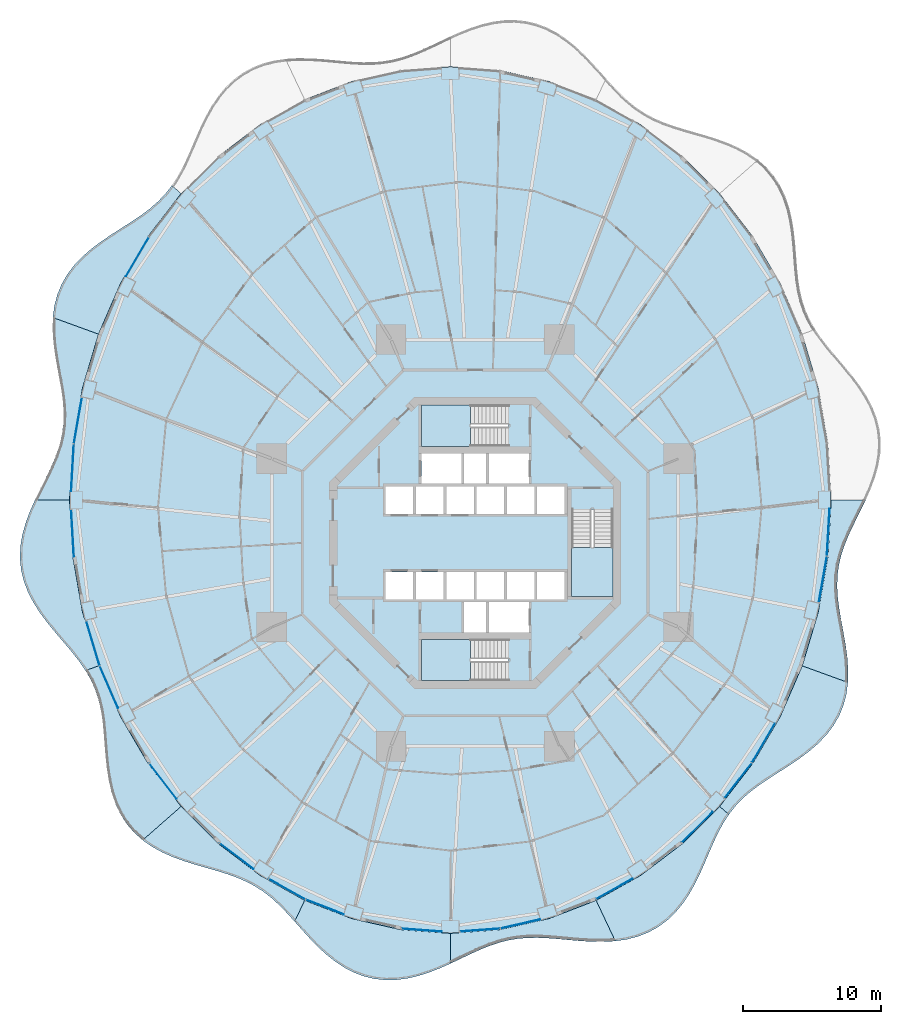
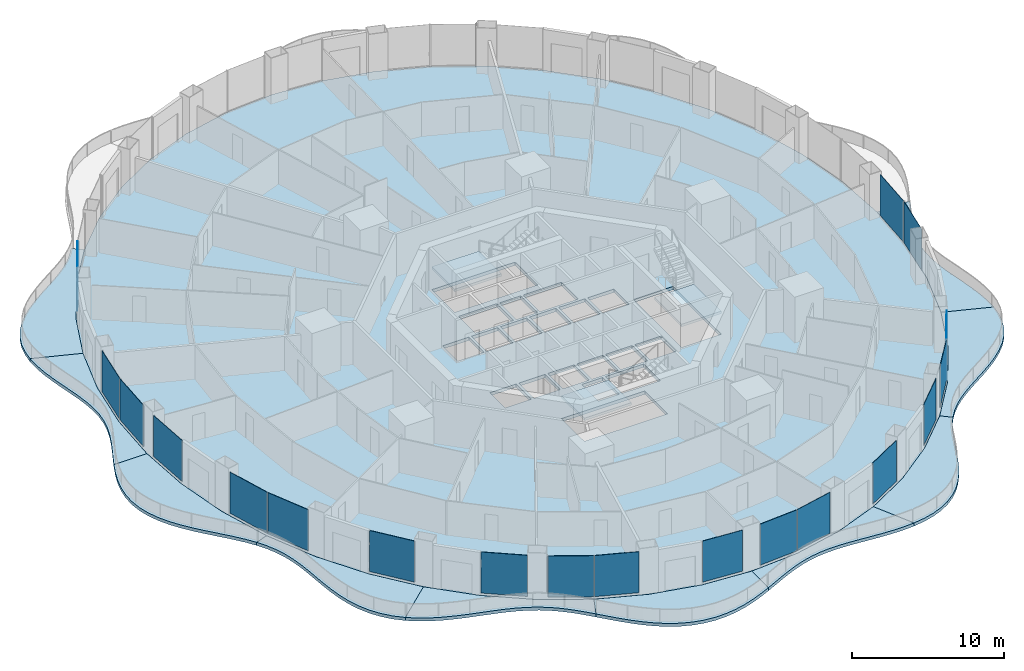
# One storey, part 12 of 22: 19 plates, 14 slabs, 22 elements without a shape of their own.
"""IFC4 building model written with IfcOpenShell, lengths in metres."""

import ifcopenshell
import ifcopenshell.guid

model = None  # the IFC model being written
_history = None  # IfcOwnerHistory: only IFC2X3 demands one
_inside = {}  # id of a spatial element -> (the spatial element, [elements in it])
_under = {}  # id of a project, library or spatial element -> (it, [spatial elements below it])
_declared = {}  # id of a project -> (the project, [libraries it declares])
_typed = {}  # id of a type object -> (the type object, [elements of that type])
_made_of = {}  # id of a material, layer set ... -> (it, [elements and type objects made of it])


def new_model(schema):
    """Start an empty IFC model of exactly this schema.

    Asked for "IFC4X3", IfcOpenShell would pick the latest addendum, in which some entities
    have other attributes; the version numbers below select the first issue.
    IFC2X3 requires an IfcOwnerHistory on every rooted entity: one is made here for all.
    """
    global model, _history
    if schema == "IFC4X3":
        model = ifcopenshell.file(schema_version=(4, 3, 0, 0))
    else:
        model = ifcopenshell.file(schema=schema)
    _inside.clear()
    _under.clear()
    _declared.clear()
    _typed.clear()
    _made_of.clear()
    _history = None
    if model.schema == "IFC2X3":
        org = make("IfcOrganization", Name="unknown")
        user = make(
            "IfcPersonAndOrganization",
            ThePerson=make("IfcPerson", FamilyName="unknown"),
            TheOrganization=org,
        )
        app = make(
            "IfcApplication",
            ApplicationDeveloper=org,
            Version="unknown",
            ApplicationFullName="unknown",
            ApplicationIdentifier="unknown",
        )
        _history = make(
            "IfcOwnerHistory",
            OwningUser=user,
            OwningApplication=app,
            ChangeAction="ADDED",
            CreationDate=0,
        )
    return model


def make(cls, **values):
    """One entity of the class cls with the attributes given. An attribute that is None is left unset."""
    return model.create_entity(
        cls, **{name: value for name, value in values.items() if value is not None}
    )


def rooted(cls, **values):
    """An entity with a GlobalId (a new one), such as an element, a storey or a relation."""
    return make(cls, GlobalId=ifcopenshell.guid.new(), OwnerHistory=_history, **values)


def si_unit(unit_type, name, prefix=None):
    """IfcSIUnit, for example si_unit("LENGTHUNIT", "METRE", prefix="MILLI")."""
    return make("IfcSIUnit", UnitType=unit_type, Prefix=prefix, Name=name)


def assignment(units):
    """IfcUnitAssignment: the units of a project."""
    return None if units is None else make("IfcUnitAssignment", Units=units)


def point(xyz):
    """IfcCartesianPoint."""
    return None if xyz is None else make("IfcCartesianPoint", Coordinates=xyz)


def direction(xyz):
    """IfcDirection."""
    return None if xyz is None else make("IfcDirection", DirectionRatios=xyz)


def frame(location, z_axis=None, x_axis=None):
    """IfcAxis2Placement3D, a coordinate frame: its origin and axes. An axis left out is left unset."""
    return make(
        "IfcAxis2Placement3D",
        Location=point(location),
        Axis=direction(z_axis),
        RefDirection=direction(x_axis),
    )


def frame_2d(location, x_axis=None):
    """IfcAxis2Placement2D, a coordinate frame in the plane: its origin and x axis."""
    return make(
        "IfcAxis2Placement2D", Location=point(location), RefDirection=direction(x_axis)
    )


def origin():
    """The frame at (0, 0, 0) with its axes left unset."""
    return frame((0.0, 0.0, 0.0))


def origin_2d():
    """The frame at (0, 0) in the plane with its x axis left unset."""
    return frame_2d((0.0, 0.0))


def place(relative_to, where):
    """IfcLocalPlacement: puts the frame where relative to a parent placement (None: the world)."""
    return make(
        "IfcLocalPlacement", PlacementRelTo=relative_to, RelativePlacement=where
    )


def context(
    kind, dimensions, precision=None, world=None, true_north=None, identifier=None
):
    """IfcGeometricRepresentationContext, for example the 3D "Model" context."""
    return make(
        "IfcGeometricRepresentationContext",
        ContextIdentifier=identifier,
        ContextType=kind,
        CoordinateSpaceDimension=dimensions,
        Precision=precision,
        WorldCoordinateSystem=world,
        TrueNorth=true_north,
    )


def subcontext(parent, identifier, kind, view, scale=None):
    """IfcGeometricRepresentationSubContext, for example "Body" below "Model"."""
    return make(
        "IfcGeometricRepresentationSubContext",
        ContextIdentifier=identifier,
        ContextType=kind,
        ParentContext=parent,
        TargetScale=scale,
        TargetView=view,
    )


def project(units=None, contexts=None):
    """IfcProject with its units and contexts."""
    return rooted(
        "IfcProject",
        Name="project",
        RepresentationContexts=contexts,
        UnitsInContext=assignment(units),
    )


def spatial(cls, under=None, at=None, **own):
    """A site, building, storey or space (cls), placed at a placement, below another one or the project."""
    s = rooted(cls, ObjectPlacement=at, **own)
    if under is not None:
        _under.setdefault(under.id(), (under, []))[1].append(s)
    return s


def polyline(points):
    """IfcPolyline through the points."""
    return make("IfcPolyline", Points=[point(p) for p in points])


def profile(cls, at=None, kind="AREA", **sizes):
    """A parametric profile (cls). Its sizes go by their IFC names, for example OverallWidth=200.0."""
    return make(cls, ProfileType=kind, Position=at, **sizes)


def rectangle(**sizes):
    """IfcRectangleProfileDef."""
    return profile("IfcRectangleProfileDef", **sizes)


def outline(outer, holes=None, kind="AREA"):
    """IfcArbitraryClosedProfileDef: a profile drawn as a closed curve; with holes, ...WithVoids."""
    if holes is None:
        return make("IfcArbitraryClosedProfileDef", ProfileType=kind, OuterCurve=outer)
    return make(
        "IfcArbitraryProfileDefWithVoids",
        ProfileType=kind,
        OuterCurve=outer,
        InnerCurves=holes,
    )


def extrude(swept, where, along, depth):
    """IfcExtrudedAreaSolid: the profile swept, set in the frame where, extruded along a direction by depth."""
    return make(
        "IfcExtrudedAreaSolid",
        SweptArea=swept,
        Position=where,
        ExtrudedDirection=direction(along),
        Depth=depth,
    )


def shape(context_of_items, identifier, shape_type, items):
    """IfcShapeRepresentation: the items that make up one representation, for example the "Body"."""
    return make(
        "IfcShapeRepresentation",
        ContextOfItems=context_of_items,
        RepresentationIdentifier=identifier,
        RepresentationType=shape_type,
        Items=items,
    )


def material(Name=None, Category=None):
    """IfcMaterial."""
    return make("IfcMaterial", Name=Name, Category=Category)


def layer(
    of_material, thickness, ventilated=None, Name=None, Category=None, Priority=None
):
    """IfcMaterialLayer: one layer of a wall or slab, of a material (None: an air gap)."""
    return make(
        "IfcMaterialLayer",
        Material=of_material,
        LayerThickness=thickness,
        IsVentilated=ventilated,
        Name=Name,
        Category=Category,
        Priority=Priority,
    )


def layer_set(layers, Name=None):
    """IfcMaterialLayerSet."""
    return make("IfcMaterialLayerSet", MaterialLayers=layers, LayerSetName=Name)


def made_of(thing, what):
    """Note that an element or type object is made of a material, layer set ...; save() writes the relation."""
    if what is not None:
        _made_of.setdefault(what.id(), (what, []))[1].append(thing)
    return thing


def type_object(cls, material=None, **own):
    """A type object (cls), such as IfcWallType, which elements share."""
    return made_of(rooted(cls, **own), material)


def element(
    cls,
    number,
    at=None,
    inside=None,
    cuts=None,
    type_object=None,
    material=None,
    context=None,
    identifier="Body",
    shape_type=None,
    held_by="IfcProductDefinitionShape",
    body=None,
    shapes=None,
    **own,
):
    """One element of the class cls, such as IfcWall. Its Tag is "e" and its number.

    at: its placement. inside: the storey or other place that contains it. cuts: it is an
    opening in that element (IfcRelVoidsElement). A single representation is given by context,
    identifier, shape_type and body (its items); several are given by shapes. held_by: the class
    of the entity that holds the representations. save() writes the other relations.
    """
    e = rooted(cls, Tag="e%d" % number, ObjectPlacement=at, **own)
    if body is not None:
        shapes = [shape(context, identifier, shape_type, body)]
    if shapes is not None:
        e.Representation = make(held_by, Representations=shapes)
    if inside is not None:
        _inside.setdefault(inside.id(), (inside, []))[1].append(e)
    if cuts is not None:
        rooted(
            "IfcRelVoidsElement", RelatingBuildingElement=cuts, RelatedOpeningElement=e
        )
    if type_object is not None:
        _typed.setdefault(type_object.id(), (type_object, []))[1].append(e)
    return made_of(e, material)


def aggregate(whole, parts):
    """IfcRelAggregates: a whole, such as a stair, and the parts it consists of."""
    return rooted("IfcRelAggregates", RelatingObject=whole, RelatedObjects=parts)


def save(model, path):
    """Write the relations noted so far, then the file.

    IfcRelAggregates (storeys below a building ...), IfcRelContainedInSpatialStructure (elements
    in a storey), IfcRelDefinesByType, IfcRelAssociatesMaterial and IfcRelDeclares: one each for
    every whole, place, type object, material and project.
    """
    for whole, parts in _under.values():
        aggregate(whole, parts)
    for where, things in _inside.values():
        rooted(
            "IfcRelContainedInSpatialStructure",
            RelatedElements=things,
            RelatingStructure=where,
        )
    for kind, things in _typed.values():
        rooted("IfcRelDefinesByType", RelatedObjects=things, RelatingType=kind)
    for what, things in _made_of.values():
        rooted("IfcRelAssociatesMaterial", RelatedObjects=things, RelatingMaterial=what)
    for by, libraries in _declared.values():
        rooted("IfcRelDeclares", RelatingContext=by, RelatedDefinitions=libraries)
    model.write(path)


model = new_model("IFC4")

# Units and contexts
model_context = context("Model", 3, precision=1e-05, world=origin(), true_north=direction((0.0, 1.0)))
body_context = subcontext(model_context, "Body", "Model", "MODEL_VIEW")
ifc_project = project(units=[si_unit("LENGTHUNIT", "METRE"), si_unit("AREAUNIT", "SQUARE_METRE"), si_unit("VOLUMEUNIT", "CUBIC_METRE"), si_unit("PLANEANGLEUNIT", "RADIAN"), si_unit("MASSUNIT", "GRAM", prefix="KILO")], contexts=[model_context])

# Site, building, storey
site_placement = place(None, origin())
site = spatial("IfcSite", under=ifc_project, at=site_placement, CompositionType="ELEMENT")
building_placement = place(site_placement, origin())
building = spatial("IfcBuilding", under=site, at=building_placement, Name="Nagisa Residences", CompositionType="ELEMENT")
storey_placement = place(building_placement, frame((0.0, 0.0, 95.5)))
storey = spatial("IfcBuildingStorey", under=building, at=storey_placement, Name="L23", CompositionType="ELEMENT", Elevation=95.5)

# Slabs
ifc_material_1 = material(Name="Concrete C40/50", Category="concrete")
ifc_layer_1 = layer(ifc_material_1, 0.25)
ifc_layer_set_1 = layer_set([ifc_layer_1], Name="BALCONY SLAB 250")
slab_type_1 = type_object("IfcSlabType", Name="BALCONY SLAB 250", PredefinedType="FLOOR", material=ifc_layer_set_1)
slab_1_placement = place(storey_placement, frame((0.0, 0.0, -0.25)))
element("IfcSlab", 1, at=slab_1_placement, inside=storey, type_object=slab_type_1, Name="slab:L23:bal06", PredefinedType="FLOOR", context=body_context, shape_type="SweptSolid", body=[
    extrude(outline(polyline([(-22.04833984375, 25.986572265625), (-22.521240234375, 25.3818359375), (-23.05224609375, 24.8251953125), (-23.642333984375, 24.3095703125), (-24.287841796875, 23.82421875), (-24.979248046875, 23.356689453125), (-25.703369140625, 22.89306640625), (-26.442626953125, 22.419921875), (-27.177001953125, 21.923828125), (-27.885498046875, 21.3935546875), (-28.546875, 20.8203125), (-29.141845703125, 20.19873046875), (-29.65380859375, 19.526123046875), (-30.070556640625, 18.80322265625), (-30.384521484375, 18.0341796875), (-30.594482421875, 17.2255859375), (-30.704345703125, 16.385498046875), (-27.386962890625, 15.177978515625), (-25.78466796875, 18.875244140625), (-23.77197265625, 22.302734375), (-21.38330078125, 25.402099609375), (-22.04833984375, 25.986572265625)])), origin(), (0.0, 0.0, 1.0), 0.25),
])
slab_2_placement = place(storey_placement, frame((0.0, 0.0, -0.25)))
element("IfcSlab", 2, at=slab_2_placement, inside=storey, type_object=slab_type_1, Name="slab:L23:bal07", PredefinedType="FLOOR", context=body_context, shape_type="SweptSolid", body=[
    extrude(outline(polyline([(-30.704345703125, 16.385498046875), (-30.72314453125, 15.49609375), (-30.662353515625, 14.5947265625), (-30.542724609375, 13.69189453125), (-30.388427734375, 12.796875), (-30.22509765625, 11.917236328125), (-30.078125, 11.057861328125), (-29.970458984375, 10.220947265625), (-29.921875, 9.40625), (-29.946044921875, 8.61083984375), (-30.051513671875, 7.830078125), (-30.2392578125, 7.05810546875), (-30.50341796875, 6.288330078125), (-30.831787109375, 5.514404296875), (-31.20654296875, 4.730224609375), (-31.60498046875, 3.93212890625), (-32.001708984375, 3.11767578125), (-29.4951171875, 3.11767578125), (-29.258056640625, 7.231201171875), (-28.55126953125, 11.2744140625), (-27.386962890625, 15.177978515625), (-30.704345703125, 16.385498046875)])), origin(), (0.0, 0.0, 1.0), 0.25),
])
slab_3_placement = place(storey_placement, frame((0.0, 0.0, -0.25)))
element("IfcSlab", 3, at=slab_3_placement, inside=storey, type_object=slab_type_1, Name="slab:L23:bal08", PredefinedType="FLOOR", context=body_context, shape_type="SweptSolid", body=[
    extrude(outline(polyline([(-32.001708984375, 3.11767578125), (-32.370361328125, 2.286865234375), (-32.68505859375, 1.441650390625), (-32.922607421875, 0.586181640625), (-33.06396484375, -0.2734375), (-33.095458984375, -1.130859375), (-33.010009765625, -1.978515625), (-32.80712890625, -2.8095703125), (-32.493896484375, -3.618408203125), (-32.082763671875, -4.400634765625), (-31.592529296875, -5.15478515625), (-31.0458984375, -5.880859375), (-30.467529296875, -6.582763671875), (-29.883544921875, -7.265625), (-29.318603515625, -7.9375), (-28.794677734375, -8.607666015625), (-28.329345703125, -9.28564453125), (-27.386962890625, -8.942626953125), (-28.55126953125, -5.0390625), (-29.258056640625, -0.995849609375), (-29.4951171875, 3.11767578125), (-32.001708984375, 3.11767578125)])), origin(), (0.0, 0.0, 1.0), 0.25),
])
slab_4_placement = place(storey_placement, frame((0.0, 0.0, -0.25)))
element("IfcSlab", 4, at=slab_4_placement, inside=storey, type_object=slab_type_1, Name="slab:L23:bal09", PredefinedType="FLOOR", context=body_context, shape_type="SweptSolid", body=[
    extrude(outline(polyline([(-28.329345703125, -9.28564453125), (-27.9453125, -9.95947265625), (-27.633056640625, -10.657958984375), (-27.391845703125, -11.38671875), (-27.215576171875, -12.149658203125), (-27.092529296875, -12.947265625), (-27.007080078125, -13.777587890625), (-26.940185546875, -14.634521484375), (-26.870849609375, -15.509521484375), (-26.77783203125, -16.39111328125), (-26.640625, -17.26611328125), (-26.44140625, -18.1201171875), (-26.16552734375, -18.9384765625), (-25.80322265625, -19.707763671875), (-25.349609375, -20.416259765625), (-24.8046875, -21.05517578125), (-24.17431640625, -21.619384765625), (-21.38330078125, -19.166748046875), (-23.77197265625, -16.0673828125), (-25.78466796875, -12.639892578125), (-27.386962890625, -8.942626953125), (-28.329345703125, -9.28564453125)])), origin(), (0.0, 0.0, 1.0), 0.25),
])
slab_5_placement = place(storey_placement, frame((0.0, 0.0, -0.25)))
element("IfcSlab", 5, at=slab_5_placement, inside=storey, type_object=slab_type_1, Name="slab:L23:bal10", PredefinedType="FLOOR", context=body_context, shape_type="SweptSolid", body=[
    extrude(outline(polyline([(-24.17431640625, -21.619384765625), (-23.502685546875, -22.0869140625), (-22.774169921875, -22.488525390625), (-22.002685546875, -22.8310546875), (-21.203857421875, -23.1240234375), (-20.393310546875, -23.380126953125), (-19.586181640625, -23.614013671875), (-18.795166015625, -23.841552734375), (-18.03173828125, -24.078857421875), (-17.302978515625, -24.3408203125), (-16.613525390625, -24.640869140625), (-15.9638671875, -24.989013671875), (-15.351318359375, -25.39208984375), (-14.77001953125, -25.8525390625), (-14.21142578125, -26.367919921875), (-13.665771484375, -26.93212890625), (-13.1220703125, -27.533447265625), (-12.3984375, -25.998291015625), (-15.6474609375, -24.175048828125), (-18.65966796875, -21.884765625), (-21.38330078125, -19.166748046875), (-24.17431640625, -21.619384765625)])), origin(), (0.0, 0.0, 1.0), 0.25),
])
slab_6_placement = place(storey_placement, frame((0.0, 0.0, -0.25)))
element("IfcSlab", 6, at=slab_6_placement, inside=storey, type_object=slab_type_1, Name="slab:L23:bal11", PredefinedType="FLOOR", context=body_context, shape_type="SweptSolid", body=[
    extrude(outline(polyline([(-13.1220703125, -27.533447265625), (-12.58935546875, -28.134765625), (-12.0390625, -28.741455078125), (-11.46337890625, -29.335693359375), (-10.856689453125, -29.8994140625), (-10.21484375, -30.41455078125), (-9.537353515625, -30.864990234375), (-8.824951171875, -31.236083984375), (-8.081298828125, -31.517333984375), (-7.311767578125, -31.70166015625), (-6.523193359375, -31.7861328125), (-5.72314453125, -31.772705078125), (-4.91943359375, -31.66796875), (-4.11962890625, -31.48193359375), (-3.330322265625, -31.22900390625), (-2.555908203125, -30.925537109375), (-1.800048828125, -30.590576171875), (-1.800048828125, -28.397216796875), (-5.4150390625, -28.127685546875), (-8.968017578125, -27.323486328125), (-12.3984375, -25.998291015625), (-13.1220703125, -27.533447265625)])), origin(), (0.0, 0.0, 1.0), 0.25),
])
slab_7_placement = place(storey_placement, frame((0.0, 0.0, -0.25)))
element("IfcSlab", 7, at=slab_7_placement, inside=storey, type_object=slab_type_1, Name="slab:L23:bal12", PredefinedType="FLOOR", context=body_context, shape_type="SweptSolid", body=[
    extrude(outline(polyline([(-1.800048828125, -30.590576171875), (-1.063232421875, -30.24267578125), (-0.344482421875, -29.90087890625), (0.359130859375, -29.58251953125), (1.052490234375, -29.3017578125), (1.7412109375, -29.070068359375), (2.431884765625, -28.894775390625), (3.131103515625, -28.7783203125), (3.844482421875, -28.719482421875), (4.57666015625, -28.712158203125), (5.33056640625, -28.74609375), (6.10693359375, -28.807861328125), (6.904296875, -28.882080078125), (7.718505859375, -28.951416015625), (8.543701171875, -28.997802734375), (9.371337890625, -29.00439453125), (10.1923828125, -28.955810546875), (8.79833984375, -25.998291015625), (5.367919921875, -27.323486328125), (1.81494140625, -28.127685546875), (-1.800048828125, -28.397216796875), (-1.800048828125, -30.590576171875)])), origin(), (0.0, 0.0, 1.0), 0.25),
])
slab_8_placement = place(storey_placement, frame((0.0, 0.0, -0.25)))
element("IfcSlab", 8, at=slab_8_placement, inside=storey, type_object=slab_type_1, Name="slab:L23:bal13", PredefinedType="FLOOR", context=body_context, shape_type="SweptSolid", body=[
    extrude(outline(polyline([(10.1923828125, -28.955810546875), (11.02587890625, -28.83251953125), (11.829345703125, -28.625), (12.592041015625, -28.326171875), (13.30419921875, -27.93408203125), (13.958984375, -27.451416015625), (14.55224609375, -26.88525390625), (15.083251953125, -26.24658203125), (15.55517578125, -25.548828125), (15.97412109375, -24.80859375), (16.349365234375, -24.042724609375), (16.693603515625, -23.268310546875), (17.0205078125, -22.501708984375), (17.34521484375, -21.7568359375), (17.682373046875, -21.04541015625), (18.046142578125, -20.375244140625), (18.4482421875, -19.751220703125), (17.783203125, -19.166748046875), (15.0595703125, -21.884765625), (12.047607421875, -24.175048828125), (8.79833984375, -25.998291015625), (10.1923828125, -28.955810546875)])), origin(), (0.0, 0.0, 1.0), 0.25),
])
slab_9_placement = place(storey_placement, frame((0.0, 0.0, -0.25)))
element("IfcSlab", 9, at=slab_9_placement, inside=storey, type_object=slab_type_1, Name="slab:L23:bal14", PredefinedType="FLOOR", context=body_context, shape_type="SweptSolid", body=[
    extrude(outline(polyline([(18.4482421875, -19.751220703125), (18.921142578125, -19.146484375), (19.4521484375, -18.58984375), (20.04248046875, -18.07421875), (20.687744140625, -17.5888671875), (21.37939453125, -17.121337890625), (22.103271484375, -16.65771484375), (22.842529296875, -16.1845703125), (23.576904296875, -15.6884765625), (24.285400390625, -15.158203125), (24.94677734375, -14.5849609375), (25.541748046875, -13.96337890625), (26.0537109375, -13.29052734375), (26.470458984375, -12.56787109375), (26.78466796875, -11.798828125), (26.994384765625, -10.990234375), (27.104248046875, -10.150146484375), (23.786865234375, -8.942626953125), (22.1845703125, -12.639892578125), (20.171875, -16.0673828125), (17.783203125, -19.166748046875), (18.4482421875, -19.751220703125)])), origin(), (0.0, 0.0, 1.0), 0.25),
])
slab_10_placement = place(storey_placement, frame((0.0, 0.0, -0.25)))
element("IfcSlab", 10, at=slab_10_placement, inside=storey, type_object=slab_type_1, Name="slab:L23:bal15", PredefinedType="FLOOR", context=body_context, shape_type="SweptSolid", body=[
    extrude(outline(polyline([(27.104248046875, -10.150146484375), (27.123291015625, -9.2607421875), (27.062255859375, -8.359375), (26.942626953125, -7.45654296875), (26.788330078125, -6.5615234375), (26.625, -5.681884765625), (26.47802734375, -4.822509765625), (26.37060546875, -3.985595703125), (26.32177734375, -3.170654296875), (26.34619140625, -2.37548828125), (26.451416015625, -1.5947265625), (26.63916015625, -0.82275390625), (26.9033203125, -0.052978515625), (27.23193359375, 0.720947265625), (27.606689453125, 1.505126953125), (28.005126953125, 2.30322265625), (28.40185546875, 3.11767578125), (25.89501953125, 3.11767578125), (25.657958984375, -0.995849609375), (24.951416015625, -5.0390625), (23.786865234375, -8.942626953125), (27.104248046875, -10.150146484375)])), origin(), (0.0, 0.0, 1.0), 0.25),
])

# Curtain wall, plate
ifc_material_2 = material(Name="Concrete-coloured aluminium curtain wall system", Category="concrete")
ifc_layer_2 = layer(ifc_material_2, 0.159912109375)
ifc_layer_set_2 = layer_set([ifc_layer_2], Name="CW1 CURTAIN WALL")
curtain_wall_type = type_object("IfcCurtainWallType", Name="CW1 CURTAIN WALL", PredefinedType="NOTDEFINED", material=ifc_layer_set_2)
curtain_wall_1_placement = place(storey_placement, origin())
curtain_wall_1 = element("IfcCurtainWall", 11, at=curtain_wall_1_placement, inside=storey, type_object=curtain_wall_type, Name="cw:CW1:L23:19", PredefinedType="NOTDEFINED")
ifc_material_3 = material(Name="Clear laminated glass", Category="glass")
ifc_layer_3 = layer(ifc_material_3, 0.028076171875)
ifc_layer_set_3 = layer_set([ifc_layer_3], Name="CW1 GLASS PANEL")
plate_type = type_object("IfcPlateType", Name="CW1 GLASS PANEL", PredefinedType="CURTAIN_PANEL", material=ifc_layer_set_3)
plate_1_placement = place(storey_placement, frame((-24.559814453125, 20.802978515625, 0.14990234375), z_axis=(0.0, 0.0, 1.0), x_axis=(-0.506348567002, -0.862328898214, 0.0)))
plate_1 = element("IfcPlate", 12, at=plate_1_placement, type_object=plate_type, Name="CW1 panel", PredefinedType="CURTAIN_PANEL", context=body_context, shape_type="SweptSolid", body=[
    extrude(rectangle(XDim=3.264892578125, YDim=0.028076171875, at=origin_2d()), origin(), (0.0, 0.0, 1.0), 3.2900390625),
])
aggregate(curtain_wall_1, [plate_1])

curtain_wall_2_placement = place(storey_placement, origin())
curtain_wall_2 = element("IfcCurtainWall", 13, at=curtain_wall_2_placement, inside=storey, type_object=curtain_wall_type, Name="cw:CW1:L23:22", PredefinedType="NOTDEFINED")
plate_2_placement = place(storey_placement, frame((-28.886962890625, 8.889404296875, 0.14990234375), z_axis=(0.0, 0.0, 1.0), x_axis=(-0.172190868898, -0.985063604377, 0.0)))
plate_2 = element("IfcPlate", 14, at=plate_2_placement, type_object=plate_type, Name="CW1 panel", PredefinedType="CURTAIN_PANEL", context=body_context, shape_type="SweptSolid", body=[
    extrude(rectangle(XDim=3.39453125, YDim=0.028076171875, at=origin_2d()), origin(), (0.0, 0.0, 1.0), 3.2900390625),
])
aggregate(curtain_wall_2, [plate_2])

curtain_wall_3_placement = place(storey_placement, origin())
curtain_wall_3 = element("IfcCurtainWall", 15, at=curtain_wall_3_placement, inside=storey, type_object=curtain_wall_type, Name="cw:CW1:L23:23", PredefinedType="NOTDEFINED")
plate_3_placement = place(storey_placement, frame((-29.27978515625, 5.46435546875, 0.14990234375), z_axis=(0.0, 0.0, 1.0), x_axis=(-0.057503492216, -0.998345305184, 0.0)))
plate_3 = element("IfcPlate", 16, at=plate_3_placement, type_object=plate_type, Name="CW1 panel", PredefinedType="CURTAIN_PANEL", context=body_context, shape_type="SweptSolid", body=[
    extrude(rectangle(XDim=3.410400390625, YDim=0.028076171875, at=origin_2d()), origin(), (0.0, 0.0, 1.0), 3.2900390625),
])
aggregate(curtain_wall_3, [plate_3])

curtain_wall_4_placement = place(storey_placement, origin())
curtain_wall_4 = element("IfcCurtainWall", 17, at=curtain_wall_4_placement, inside=storey, type_object=curtain_wall_type, Name="cw:CW1:L23:24", PredefinedType="NOTDEFINED")
plate_4_placement = place(storey_placement, frame((-29.2763671875, 0.711181640625, 0.14990234375), z_axis=(0.0, 0.0, 1.0), x_axis=(0.057503492216, -0.998345305184, 0.0)))
plate_4 = element("IfcPlate", 18, at=plate_4_placement, type_object=plate_type, Name="CW1 panel", PredefinedType="CURTAIN_PANEL", context=body_context, shape_type="SweptSolid", body=[
    extrude(rectangle(XDim=3.410400390625, YDim=0.028076171875, at=origin_2d()), origin(), (0.0, 0.0, 1.0), 3.2900390625),
])
aggregate(curtain_wall_4, [plate_4])

curtain_wall_5_placement = place(storey_placement, origin())
curtain_wall_5 = element("IfcCurtainWall", 19, at=curtain_wall_5_placement, inside=storey, type_object=curtain_wall_type, Name="cw:CW1:L23:26", PredefinedType="NOTDEFINED")
plate_5_placement = place(storey_placement, frame((-27.791015625, -7.30810546875, 0.14990234375), z_axis=(0.0, 0.0, 1.0), x_axis=(0.285860274038, -0.958271310082, 0.0)))
plate_5 = element("IfcPlate", 20, at=plate_5_placement, type_object=plate_type, Name="CW1 panel", PredefinedType="CURTAIN_PANEL", context=body_context, shape_type="SweptSolid", body=[
    extrude(rectangle(XDim=3.363525390625, YDim=0.028076171875, at=origin_2d()), origin(), (0.0, 0.0, 1.0), 3.2900390625),
])
aggregate(curtain_wall_5, [plate_5])

curtain_wall_6_placement = place(storey_placement, origin())
curtain_wall_6 = element("IfcCurtainWall", 21, at=curtain_wall_6_placement, inside=storey, type_object=curtain_wall_type, Name="cw:CW1:L23:27", PredefinedType="NOTDEFINED")
plate_6_placement = place(storey_placement, frame((-26.629638671875, -10.48876953125, 0.14990234375), z_axis=(0.0, 0.0, 1.0), x_axis=(0.397635934147, -0.917543276295, 0.0)))
plate_6 = element("IfcPlate", 22, at=plate_6_placement, type_object=plate_type, Name="CW1 panel", PredefinedType="CURTAIN_PANEL", context=body_context, shape_type="SweptSolid", body=[
    extrude(rectangle(XDim=3.319580078125, YDim=0.028076171875, at=origin_2d()), origin(), (0.0, 0.0, 1.0), 3.2900390625),
])
aggregate(curtain_wall_6, [plate_6])

curtain_wall_7_placement = place(storey_placement, origin())
curtain_wall_7 = element("IfcCurtainWall", 23, at=curtain_wall_7_placement, inside=storey, type_object=curtain_wall_type, Name="cw:CW1:L23:29", PredefinedType="NOTDEFINED")
plate_7_placement = place(storey_placement, frame((-22.6943359375, -17.334716796875, 0.14990234375), z_axis=(0.0, 0.0, 1.0), x_axis=(0.610429828235, -0.792070340816, 0.0)))
plate_7 = element("IfcPlate", 24, at=plate_7_placement, type_object=plate_type, Name="CW1 panel", PredefinedType="CURTAIN_PANEL", context=body_context, shape_type="SweptSolid", body=[
    extrude(rectangle(XDim=3.202880859375, YDim=0.028076171875, at=origin_2d()), origin(), (0.0, 0.0, 1.0), 3.2900390625),
])
aggregate(curtain_wall_7, [plate_7])

curtain_wall_8_placement = place(storey_placement, origin())
curtain_wall_8 = element("IfcCurtainWall", 25, at=curtain_wall_8_placement, inside=storey, type_object=curtain_wall_type, Name="cw:CW1:L23:31", PredefinedType="NOTDEFINED")
plate_8_placement = place(storey_placement, frame((-17.340087890625, -22.787841796875, 0.14990234375), z_axis=(0.0, 0.0, 1.0), x_axis=(0.79603132756, -0.605255421737, 0.0)))
plate_8 = element("IfcPlate", 26, at=plate_8_placement, type_object=plate_type, Name="CW1 panel", PredefinedType="CURTAIN_PANEL", context=body_context, shape_type="SweptSolid", body=[
    extrude(rectangle(XDim=3.073974609375, YDim=0.028076171875, at=origin_2d()), origin(), (0.0, 0.0, 1.0), 3.2900390625),
])
aggregate(curtain_wall_8, [plate_8])

curtain_wall_9_placement = place(storey_placement, origin())
curtain_wall_9 = element("IfcCurtainWall", 27, at=curtain_wall_9_placement, inside=storey, type_object=curtain_wall_type, Name="cw:CW1:L23:32", PredefinedType="NOTDEFINED")
plate_9_placement = place(storey_placement, frame((-13.67431640625, -25.190673828125, 0.14990234375), z_axis=(0.0, 0.0, 1.0), x_axis=(0.872072377523, -0.489376918501, 0.0)))
plate_9 = element("IfcPlate", 28, at=plate_9_placement, type_object=plate_type, Name="CW1 panel", PredefinedType="CURTAIN_PANEL", context=body_context, shape_type="SweptSolid", body=[
    extrude(rectangle(XDim=3.015625, YDim=0.028076171875, at=origin_2d()), origin(), (0.0, 0.0, 1.0), 3.2900390625),
])
aggregate(curtain_wall_9, [plate_9])

curtain_wall_10_placement = place(storey_placement, origin())
curtain_wall_10 = element("IfcCurtainWall", 29, at=curtain_wall_10_placement, inside=storey, type_object=curtain_wall_type, Name="cw:CW1:L23:33", PredefinedType="NOTDEFINED")
plate_10_placement = place(storey_placement, frame((-10.929443359375, -26.47998046875, 0.14990234375), z_axis=(0.0, 0.0, 1.0), x_axis=(0.932825759707, -0.360327770268, 0.0)))
plate_10 = element("IfcPlate", 30, at=plate_10_placement, type_object=plate_type, Name="CW1 panel", PredefinedType="CURTAIN_PANEL", context=body_context, shape_type="SweptSolid", body=[
    extrude(rectangle(XDim=2.967529296875, YDim=0.028076171875, at=origin_2d()), origin(), (0.0, 0.0, 1.0), 3.2900390625),
])
aggregate(curtain_wall_10, [plate_10])

curtain_wall_11_placement = place(storey_placement, origin())
curtain_wall_11 = element("IfcCurtainWall", 31, at=curtain_wall_11_placement, inside=storey, type_object=curtain_wall_type, Name="cw:CW1:L23:35", PredefinedType="NOTDEFINED")
plate_11_placement = place(storey_placement, frame((-3.895751953125, -28.160888671875, 0.14990234375), z_axis=(0.0, 0.0, 1.0), x_axis=(0.997230168512, -0.074377355493, 0.0)))
plate_11 = element("IfcPlate", 32, at=plate_11_placement, type_object=plate_type, Name="CW1 panel", PredefinedType="CURTAIN_PANEL", context=body_context, shape_type="SweptSolid", body=[
    extrude(rectangle(XDim=2.9150390625, YDim=0.028076171875, at=origin_2d()), origin(), (0.0, 0.0, 1.0), 3.2900390625),
])
aggregate(curtain_wall_11, [plate_11])

curtain_wall_12_placement = place(storey_placement, origin())
curtain_wall_12 = element("IfcCurtainWall", 33, at=curtain_wall_12_placement, inside=storey, type_object=curtain_wall_type, Name="cw:CW1:L23:36", PredefinedType="NOTDEFINED")
plate_12_placement = place(storey_placement, frame((0.35546875, -28.15625, 0.14990234375), z_axis=(0.0, 0.0, 1.0), x_axis=(0.997230168512, 0.074377355493, 0.0)))
plate_12 = element("IfcPlate", 34, at=plate_12_placement, type_object=plate_type, Name="CW1 panel", PredefinedType="CURTAIN_PANEL", context=body_context, shape_type="SweptSolid", body=[
    extrude(rectangle(XDim=2.9150390625, YDim=0.028076171875, at=origin_2d()), origin(), (0.0, 0.0, 1.0), 3.2900390625),
])
aggregate(curtain_wall_12, [plate_12])

curtain_wall_13_placement = place(storey_placement, origin())
curtain_wall_13 = element("IfcCurtainWall", 35, at=curtain_wall_13_placement, inside=storey, type_object=curtain_wall_type, Name="cw:CW1:L23:37", PredefinedType="NOTDEFINED")
plate_13_placement = place(storey_placement, frame((3.2861328125, -27.712646484375, 0.14990234375), z_axis=(0.0, 0.0, 1.0), x_axis=(0.975327274089, 0.2207639201, 0.0)))
plate_13 = element("IfcPlate", 36, at=plate_13_placement, type_object=plate_type, Name="CW1 panel", PredefinedType="CURTAIN_PANEL", context=body_context, shape_type="SweptSolid", body=[
    extrude(rectangle(XDim=2.932861328125, YDim=0.028076171875, at=origin_2d()), origin(), (0.0, 0.0, 1.0), 3.2900390625),
])
aggregate(curtain_wall_13, [plate_13])

curtain_wall_14_placement = place(storey_placement, origin())
curtain_wall_14 = element("IfcCurtainWall", 37, at=curtain_wall_14_placement, inside=storey, type_object=curtain_wall_type, Name="cw:CW1:L23:39", PredefinedType="NOTDEFINED")
plate_14_placement = place(storey_placement, frame((10.12646484375, -25.161376953125, 0.14990234375), z_axis=(0.0, 0.0, 1.0), x_axis=(0.872072377523, 0.489376918501, 0.0)))
plate_14 = element("IfcPlate", 38, at=plate_14_placement, type_object=plate_type, Name="CW1 panel", PredefinedType="CURTAIN_PANEL", context=body_context, shape_type="SweptSolid", body=[
    extrude(rectangle(XDim=3.015625, YDim=0.028076171875, at=origin_2d()), origin(), (0.0, 0.0, 1.0), 3.2900390625),
])
aggregate(curtain_wall_14, [plate_14])

curtain_wall_15_placement = place(storey_placement, origin())
curtain_wall_15 = element("IfcCurtainWall", 39, at=curtain_wall_15_placement, inside=storey, type_object=curtain_wall_type, Name="cw:CW1:L23:41", PredefinedType="NOTDEFINED")
plate_15_placement = place(storey_placement, frame((16.15625, -20.677490234375, 0.14990234375), z_axis=(0.0, 0.0, 1.0), x_axis=(0.707835924016, 0.706376885714, 0.0)))
plate_15 = element("IfcPlate", 40, at=plate_15_placement, type_object=plate_type, Name="CW1 panel", PredefinedType="CURTAIN_PANEL", context=body_context, shape_type="SweptSolid", body=[
    extrude(rectangle(XDim=3.137939453125, YDim=0.028076171875, at=origin_2d()), origin(), (0.0, 0.0, 1.0), 3.2900390625),
])
aggregate(curtain_wall_15, [plate_15])

curtain_wall_16_placement = place(storey_placement, origin())
curtain_wall_16 = element("IfcCurtainWall", 41, at=curtain_wall_16_placement, inside=storey, type_object=curtain_wall_type, Name="cw:CW1:L23:42", PredefinedType="NOTDEFINED")
plate_16_placement = place(storey_placement, frame((19.130859375, -17.287109375, 0.14990234375), z_axis=(0.0, 0.0, 1.0), x_axis=(0.610429828235, 0.792070340816, 0.0)))
plate_16 = element("IfcPlate", 42, at=plate_16_placement, type_object=plate_type, Name="CW1 panel", PredefinedType="CURTAIN_PANEL", context=body_context, shape_type="SweptSolid", body=[
    extrude(rectangle(XDim=3.202880859375, YDim=0.028076171875, at=origin_2d()), origin(), (0.0, 0.0, 1.0), 3.2900390625),
])
aggregate(curtain_wall_16, [plate_16])

curtain_wall_17_placement = place(storey_placement, origin())
curtain_wall_17 = element("IfcCurtainWall", 43, at=curtain_wall_17_placement, inside=storey, type_object=curtain_wall_type, Name="cw:CW1:L23:43", PredefinedType="NOTDEFINED")
plate_17_placement = place(storey_placement, frame((20.9599609375, -14.5673828125, 0.14990234375), z_axis=(0.0, 0.0, 1.0), x_axis=(0.506348567002, 0.862328898214, 0.0)))
plate_17 = element("IfcPlate", 44, at=plate_17_placement, type_object=plate_type, Name="CW1 panel", PredefinedType="CURTAIN_PANEL", context=body_context, shape_type="SweptSolid", body=[
    extrude(rectangle(XDim=3.264892578125, YDim=0.028076171875, at=origin_2d()), origin(), (0.0, 0.0, 1.0), 3.2900390625),
])
aggregate(curtain_wall_17, [plate_17])

curtain_wall_18_placement = place(storey_placement, origin())
curtain_wall_18 = element("IfcCurtainWall", 45, at=curtain_wall_18_placement, inside=storey, type_object=curtain_wall_type, Name="cw:CW1:L23:46", PredefinedType="NOTDEFINED")
plate_18_placement = place(storey_placement, frame((25.287109375, -2.654052734375, 0.14990234375), z_axis=(0.0, 0.0, 1.0), x_axis=(0.172190868898, 0.985063604377, 0.0)))
plate_18 = element("IfcPlate", 46, at=plate_18_placement, type_object=plate_type, Name="CW1 panel", PredefinedType="CURTAIN_PANEL", context=body_context, shape_type="SweptSolid", body=[
    extrude(rectangle(XDim=3.39453125, YDim=0.028076171875, at=origin_2d()), origin(), (0.0, 0.0, 1.0), 3.2900390625),
])
aggregate(curtain_wall_18, [plate_18])

curtain_wall_19_placement = place(storey_placement, origin())
curtain_wall_19 = element("IfcCurtainWall", 47, at=curtain_wall_19_placement, inside=storey, type_object=curtain_wall_type, Name="cw:CW1:L23:47", PredefinedType="NOTDEFINED")
plate_19_placement = place(storey_placement, frame((25.6796875, 0.77099609375, 0.14990234375), z_axis=(0.0, 0.0, 1.0), x_axis=(0.057503492216, 0.998345305184, 0.0)))
plate_19 = element("IfcPlate", 48, at=plate_19_placement, type_object=plate_type, Name="CW1 panel", PredefinedType="CURTAIN_PANEL", context=body_context, shape_type="SweptSolid", body=[
    extrude(rectangle(XDim=3.410400390625, YDim=0.028076171875, at=origin_2d()), origin(), (0.0, 0.0, 1.0), 3.2900390625),
])
aggregate(curtain_wall_19, [plate_19])

# Slab
ifc_material_4 = material(Name="Concrete C40", Category="concrete")
ifc_layer_4 = layer(ifc_material_4, 0.260009765625)
ifc_layer_set_4 = layer_set([ifc_layer_4], Name="Floor slab 260")
slab_type_2 = type_object("IfcSlabType", Name="Floor slab 260", PredefinedType="FLOOR", material=ifc_layer_set_4)
slab_11_placement = place(storey_placement, frame((0.0, 0.0, -0.260009765625)))
element("IfcSlab", 49, at=slab_11_placement, inside=storey, type_object=slab_type_2, Name="slab:L23:floor", PredefinedType="FLOOR", context=body_context, shape_type="SweptSolid", body=[
    extrude(outline(polyline([(25.89501953125, 3.11767578125), (25.657958984375, 7.231201171875), (24.951416015625, 11.2744140625), (23.786865234375, 15.177978515625), (22.1845703125, 18.875244140625), (20.171875, 22.302734375), (17.783203125, 25.402099609375), (15.0595703125, 28.1201171875), (12.047607421875, 30.410400390625), (8.79833984375, 32.233642578125), (5.367919921875, 33.558837890625), (1.81494140625, 34.363037109375), (-1.800048828125, 34.6328125), (-5.4150390625, 34.363037109375), (-8.968017578125, 33.558837890625), (-12.3984375, 32.233642578125), (-15.6474609375, 30.410400390625), (-18.65966796875, 28.1201171875), (-21.38330078125, 25.402099609375), (-23.77197265625, 22.302734375), (-25.78466796875, 18.875244140625), (-27.386962890625, 15.177978515625), (-28.55126953125, 11.2744140625), (-29.258056640625, 7.231201171875), (-29.4951171875, 3.11767578125), (-29.258056640625, -0.995849609375), (-28.55126953125, -5.0390625), (-27.386962890625, -8.942626953125), (-25.78466796875, -12.639892578125), (-23.77197265625, -16.0673828125), (-21.38330078125, -19.166748046875), (-18.65966796875, -21.884765625), (-15.6474609375, -24.175048828125), (-12.3984375, -25.998291015625), (-8.968017578125, -27.323486328125), (-5.4150390625, -28.127685546875), (-1.800048828125, -28.397216796875), (1.81494140625, -28.127685546875), (5.367919921875, -27.323486328125), (8.79833984375, -25.998291015625), (12.047607421875, -24.175048828125), (15.0595703125, -21.884765625), (17.783203125, -19.166748046875), (20.171875, -16.0673828125), (22.1845703125, -12.639892578125), (23.786865234375, -8.942626953125), (24.951416015625, -5.0390625), (25.657958984375, -0.995849609375), (25.89501953125, 3.11767578125)]), holes=[polyline([(-4.5, 2.10009765625), (-4.5, 4.10009765625), (-6.5, 4.10009765625), (-6.5, 2.10009765625), (-4.5, 2.10009765625)]), polyline([(-2.300048828125, 2.10009765625), (-2.300048828125, 4.10009765625), (-4.300048828125, 4.10009765625), (-4.300048828125, 2.10009765625), (-2.300048828125, 2.10009765625)]), polyline([(-0.10009765625, 2.10009765625), (-0.10009765625, 4.10009765625), (-2.10009765625, 4.10009765625), (-2.10009765625, 2.10009765625), (-0.10009765625, 2.10009765625)]), polyline([(2.10009765625, 2.10009765625), (2.10009765625, 4.10009765625), (0.10009765625, 4.10009765625), (0.10009765625, 2.10009765625), (2.10009765625, 2.10009765625)]), polyline([(4.300048828125, 2.10009765625), (4.300048828125, 4.10009765625), (2.300048828125, 4.10009765625), (2.300048828125, 2.10009765625), (4.300048828125, 2.10009765625)]), polyline([(6.5, 2.10009765625), (6.5, 4.10009765625), (4.5, 4.10009765625), (4.5, 2.10009765625), (6.5, 2.10009765625)]), polyline([(-4.5, -4.10009765625), (-4.5, -2.10009765625), (-6.5, -2.10009765625), (-6.5, -4.10009765625), (-4.5, -4.10009765625)]), polyline([(-2.300048828125, -4.10009765625), (-2.300048828125, -2.10009765625), (-4.300048828125, -2.10009765625), (-4.300048828125, -4.10009765625), (-2.300048828125, -4.10009765625)]), polyline([(-0.10009765625, -4.10009765625), (-0.10009765625, -2.10009765625), (-2.10009765625, -2.10009765625), (-2.10009765625, -4.10009765625), (-0.10009765625, -4.10009765625)]), polyline([(2.10009765625, -4.10009765625), (2.10009765625, -2.10009765625), (0.10009765625, -2.10009765625), (0.10009765625, -4.10009765625), (2.10009765625, -4.10009765625)]), polyline([(4.300048828125, -4.10009765625), (4.300048828125, -2.10009765625), (2.300048828125, -2.10009765625), (2.300048828125, -4.10009765625), (4.300048828125, -4.10009765625)]), polyline([(6.5, -4.10009765625), (6.5, -2.10009765625), (4.5, -2.10009765625), (4.5, -4.10009765625), (6.5, -4.10009765625)]), polyline([(3.89990234375, 4.300048828125), (3.89990234375, 6.5), (1.0, 6.5), (1.0, 4.300048828125), (3.89990234375, 4.300048828125)]), polyline([(3.89990234375, -6.5), (3.89990234375, -4.300048828125), (1.0, -4.300048828125), (1.0, -6.5), (3.89990234375, -6.5)]), polyline([(-1.0, 4.300048828125), (-1.0, 6.5), (-3.89990234375, 6.5), (-3.89990234375, 4.300048828125), (-1.0, 4.300048828125)]), polyline([(0.800048828125, 4.300048828125), (0.800048828125, 6.5), (-0.800048828125, 6.5), (-0.800048828125, 4.300048828125), (0.800048828125, 4.300048828125)]), polyline([(0.800048828125, -6.5), (0.800048828125, -4.300048828125), (-0.800048828125, -4.300048828125), (-0.800048828125, -6.5), (0.800048828125, -6.5)]), polyline([(10.024658203125, -3.89990234375), (7.024658203125, -3.89990234375), (7.024658203125, 2.425048828125), (10.024658203125, 2.425048828125), (10.024658203125, -3.89990234375)]), polyline([(-3.89990234375, 7.024658203125), (-3.89990234375, 10.024658203125), (2.425048828125, 10.024658203125), (2.425048828125, 7.024658203125), (-3.89990234375, 7.024658203125)]), polyline([(-3.89990234375, -10.024658203125), (-3.89990234375, -7.024658203125), (2.425048828125, -7.024658203125), (2.425048828125, -10.024658203125), (-3.89990234375, -10.024658203125)])]), origin(), (0.0, 0.0, 1.0), 0.260009765625),
])

# Stair, slab
ifc_material_5 = material(Name="Concrete C60", Category="concrete")
stair_type = type_object("IfcStairType", Name="Exit stair", PredefinedType="HALF_TURN_STAIR", material=ifc_material_5)
stair_1_placement = place(storey_placement, origin())
stair_1 = element("IfcStair", 50, at=stair_1_placement, inside=storey, type_object=stair_type, Name="L23 Exit stair E", PredefinedType="HALF_TURN_STAIR")
ifc_material_6 = material(Name="Concrete C60", Category="concrete")
ifc_layer_5 = layer(ifc_material_6, 0.199951171875)
ifc_layer_set_5 = layer_set([ifc_layer_5], Name="Stair landing")
slab_type_3 = type_object("IfcSlabType", Name="Stair landing", PredefinedType="LANDING", material=ifc_layer_set_5)
slab_12_placement = place(storey_placement, frame((0.0, 0.0, 1.64990234375)))
slab_12 = element("IfcSlab", 51, at=slab_12_placement, type_object=slab_type_3, Name="ST-E landing 1", PredefinedType="LANDING", context=body_context, shape_type="SweptSolid", body=[
    extrude(outline(polyline([(7.024658203125, -0.324951171875), (7.024658203125, -3.89990234375), (10.024658203125, -3.89990234375), (10.024658203125, -0.324951171875), (7.024658203125, -0.324951171875)])), origin(), (0.0, 0.0, 1.0), 0.2001953125),
])
aggregate(stair_1, [slab_12])

stair_2_placement = place(storey_placement, origin())
stair_2 = element("IfcStair", 52, at=stair_2_placement, inside=storey, type_object=stair_type, Name="L23 Exit stair N", PredefinedType="HALF_TURN_STAIR")
slab_13_placement = place(storey_placement, frame((0.0, 0.0, 1.64990234375)))
slab_13 = element("IfcSlab", 53, at=slab_13_placement, type_object=slab_type_3, Name="ST-N landing 1", PredefinedType="LANDING", context=body_context, shape_type="SweptSolid", body=[
    extrude(outline(polyline([(-0.324951171875, 10.024658203125), (-3.89990234375, 10.024658203125), (-3.89990234375, 7.024658203125), (-0.324951171875, 7.024658203125), (-0.324951171875, 10.024658203125)])), origin(), (0.0, 0.0, 1.0), 0.2001953125),
])
aggregate(stair_2, [slab_13])

stair_3_placement = place(storey_placement, origin())
stair_3 = element("IfcStair", 54, at=stair_3_placement, inside=storey, type_object=stair_type, Name="L23 Exit stair S", PredefinedType="HALF_TURN_STAIR")
slab_14_placement = place(storey_placement, frame((0.0, 0.0, 1.64990234375)))
slab_14 = element("IfcSlab", 55, at=slab_14_placement, type_object=slab_type_3, Name="ST-S landing 1", PredefinedType="LANDING", context=body_context, shape_type="SweptSolid", body=[
    extrude(outline(polyline([(-0.324951171875, -7.024658203125), (-3.89990234375, -7.024658203125), (-3.89990234375, -10.024658203125), (-0.324951171875, -10.024658203125), (-0.324951171875, -7.024658203125)])), origin(), (0.0, 0.0, 1.0), 0.2001953125),
])
aggregate(stair_3, [slab_14])

save(model, "model.ifc")
